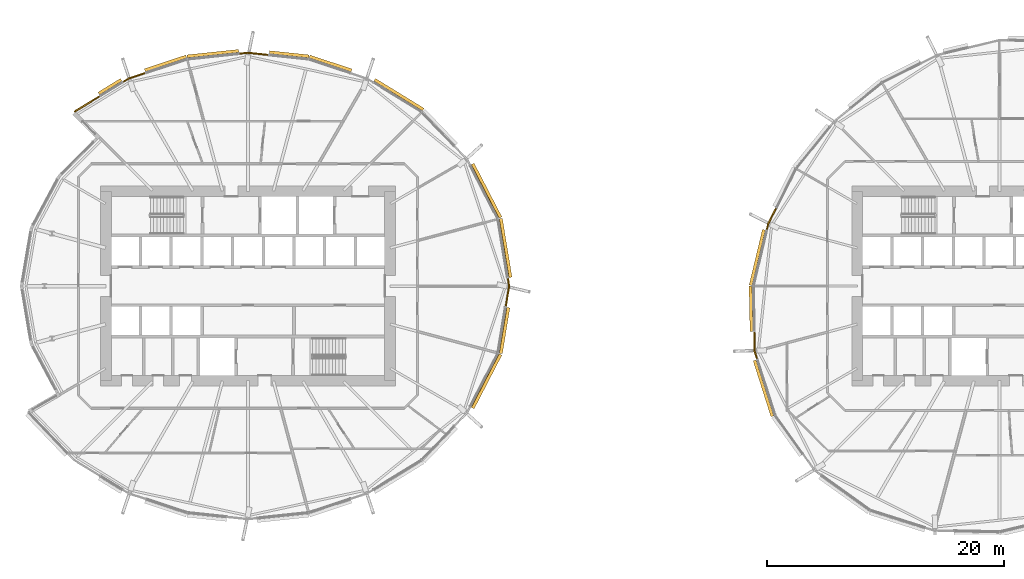
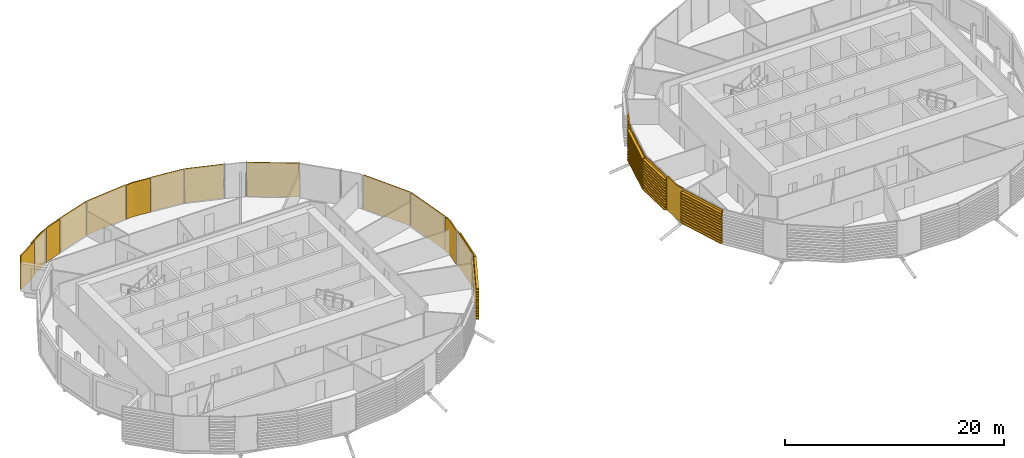
# One storey, part 33 of 36: 19 coverings.
"""IFC4 building model written with IfcOpenShell, lengths in metres."""

import ifcopenshell
import ifcopenshell.guid

model = None  # the IFC model being written
_history = None  # IfcOwnerHistory: only IFC2X3 demands one
_inside = {}  # id of a spatial element -> (the spatial element, [elements in it])
_under = {}  # id of a project, library or spatial element -> (it, [spatial elements below it])
_declared = {}  # id of a project -> (the project, [libraries it declares])
_typed = {}  # id of a type object -> (the type object, [elements of that type])
_made_of = {}  # id of a material, layer set ... -> (it, [elements and type objects made of it])


def new_model(schema):
    """Start an empty IFC model of exactly this schema.

    Asked for "IFC4X3", IfcOpenShell would pick the latest addendum, in which some entities
    have other attributes; the version numbers below select the first issue.
    IFC2X3 requires an IfcOwnerHistory on every rooted entity: one is made here for all.
    """
    global model, _history
    if schema == "IFC4X3":
        model = ifcopenshell.file(schema_version=(4, 3, 0, 0))
    else:
        model = ifcopenshell.file(schema=schema)
    _inside.clear()
    _under.clear()
    _declared.clear()
    _typed.clear()
    _made_of.clear()
    _history = None
    if model.schema == "IFC2X3":
        org = make("IfcOrganization", Name="unknown")
        user = make(
            "IfcPersonAndOrganization",
            ThePerson=make("IfcPerson", FamilyName="unknown"),
            TheOrganization=org,
        )
        app = make(
            "IfcApplication",
            ApplicationDeveloper=org,
            Version="unknown",
            ApplicationFullName="unknown",
            ApplicationIdentifier="unknown",
        )
        _history = make(
            "IfcOwnerHistory",
            OwningUser=user,
            OwningApplication=app,
            ChangeAction="ADDED",
            CreationDate=0,
        )
    return model


def make(cls, **values):
    """One entity of the class cls with the attributes given. An attribute that is None is left unset."""
    return model.create_entity(
        cls, **{name: value for name, value in values.items() if value is not None}
    )


def rooted(cls, **values):
    """An entity with a GlobalId (a new one), such as an element, a storey or a relation."""
    return make(cls, GlobalId=ifcopenshell.guid.new(), OwnerHistory=_history, **values)


def si_unit(unit_type, name, prefix=None):
    """IfcSIUnit, for example si_unit("LENGTHUNIT", "METRE", prefix="MILLI")."""
    return make("IfcSIUnit", UnitType=unit_type, Prefix=prefix, Name=name)


def assignment(units):
    """IfcUnitAssignment: the units of a project."""
    return None if units is None else make("IfcUnitAssignment", Units=units)


def point(xyz):
    """IfcCartesianPoint."""
    return None if xyz is None else make("IfcCartesianPoint", Coordinates=xyz)


def direction(xyz):
    """IfcDirection."""
    return None if xyz is None else make("IfcDirection", DirectionRatios=xyz)


def frame(location, z_axis=None, x_axis=None):
    """IfcAxis2Placement3D, a coordinate frame: its origin and axes. An axis left out is left unset."""
    return make(
        "IfcAxis2Placement3D",
        Location=point(location),
        Axis=direction(z_axis),
        RefDirection=direction(x_axis),
    )


def origin():
    """The frame at (0, 0, 0) with its axes left unset."""
    return frame((0.0, 0.0, 0.0))


def place(relative_to, where):
    """IfcLocalPlacement: puts the frame where relative to a parent placement (None: the world)."""
    return make(
        "IfcLocalPlacement", PlacementRelTo=relative_to, RelativePlacement=where
    )


def context(
    kind, dimensions, precision=None, world=None, true_north=None, identifier=None
):
    """IfcGeometricRepresentationContext, for example the 3D "Model" context."""
    return make(
        "IfcGeometricRepresentationContext",
        ContextIdentifier=identifier,
        ContextType=kind,
        CoordinateSpaceDimension=dimensions,
        Precision=precision,
        WorldCoordinateSystem=world,
        TrueNorth=true_north,
    )


def subcontext(parent, identifier, kind, view, scale=None):
    """IfcGeometricRepresentationSubContext, for example "Body" below "Model"."""
    return make(
        "IfcGeometricRepresentationSubContext",
        ContextIdentifier=identifier,
        ContextType=kind,
        ParentContext=parent,
        TargetScale=scale,
        TargetView=view,
    )


def project(units=None, contexts=None):
    """IfcProject with its units and contexts."""
    return rooted(
        "IfcProject",
        Name="project",
        RepresentationContexts=contexts,
        UnitsInContext=assignment(units),
    )


def spatial(cls, under=None, at=None, **own):
    """A site, building, storey or space (cls), placed at a placement, below another one or the project."""
    s = rooted(cls, ObjectPlacement=at, **own)
    if under is not None:
        _under.setdefault(under.id(), (under, []))[1].append(s)
    return s


def polyline(points):
    """IfcPolyline through the points."""
    return make("IfcPolyline", Points=[point(p) for p in points])


def outline(outer, holes=None, kind="AREA"):
    """IfcArbitraryClosedProfileDef: a profile drawn as a closed curve; with holes, ...WithVoids."""
    if holes is None:
        return make("IfcArbitraryClosedProfileDef", ProfileType=kind, OuterCurve=outer)
    return make(
        "IfcArbitraryProfileDefWithVoids",
        ProfileType=kind,
        OuterCurve=outer,
        InnerCurves=holes,
    )


def extrude(swept, where, along, depth):
    """IfcExtrudedAreaSolid: the profile swept, set in the frame where, extruded along a direction by depth."""
    return make(
        "IfcExtrudedAreaSolid",
        SweptArea=swept,
        Position=where,
        ExtrudedDirection=direction(along),
        Depth=depth,
    )


def shape(context_of_items, identifier, shape_type, items):
    """IfcShapeRepresentation: the items that make up one representation, for example the "Body"."""
    return make(
        "IfcShapeRepresentation",
        ContextOfItems=context_of_items,
        RepresentationIdentifier=identifier,
        RepresentationType=shape_type,
        Items=items,
    )


def material(Name=None, Category=None):
    """IfcMaterial."""
    return make("IfcMaterial", Name=Name, Category=Category)


def layer(
    of_material, thickness, ventilated=None, Name=None, Category=None, Priority=None
):
    """IfcMaterialLayer: one layer of a wall or slab, of a material (None: an air gap)."""
    return make(
        "IfcMaterialLayer",
        Material=of_material,
        LayerThickness=thickness,
        IsVentilated=ventilated,
        Name=Name,
        Category=Category,
        Priority=Priority,
    )


def layer_set(layers, Name=None):
    """IfcMaterialLayerSet."""
    return make("IfcMaterialLayerSet", MaterialLayers=layers, LayerSetName=Name)


def material_profile(
    of_material, cross_section, Name=None, Category=None, Priority=None
):
    """IfcMaterialProfile: a cross section and its material."""
    return make(
        "IfcMaterialProfile",
        Name=Name,
        Material=of_material,
        Profile=cross_section,
        Priority=Priority,
        Category=Category,
    )


def profile_set(profiles, Name=None, composite=None):
    """IfcMaterialProfileSet."""
    return make(
        "IfcMaterialProfileSet",
        Name=Name,
        MaterialProfiles=profiles,
        CompositeProfile=composite,
    )


def made_of(thing, what):
    """Note that an element or type object is made of a material, layer set ...; save() writes the relation."""
    if what is not None:
        _made_of.setdefault(what.id(), (what, []))[1].append(thing)
    return thing


def type_object(cls, material=None, **own):
    """A type object (cls), such as IfcWallType, which elements share."""
    return made_of(rooted(cls, **own), material)


def element(
    cls,
    number,
    at=None,
    inside=None,
    cuts=None,
    type_object=None,
    material=None,
    context=None,
    identifier="Body",
    shape_type=None,
    held_by="IfcProductDefinitionShape",
    body=None,
    shapes=None,
    **own,
):
    """One element of the class cls, such as IfcWall. Its Tag is "e" and its number.

    at: its placement. inside: the storey or other place that contains it. cuts: it is an
    opening in that element (IfcRelVoidsElement). A single representation is given by context,
    identifier, shape_type and body (its items); several are given by shapes. held_by: the class
    of the entity that holds the representations. save() writes the other relations.
    """
    e = rooted(cls, Tag="e%d" % number, ObjectPlacement=at, **own)
    if body is not None:
        shapes = [shape(context, identifier, shape_type, body)]
    if shapes is not None:
        e.Representation = make(held_by, Representations=shapes)
    if inside is not None:
        _inside.setdefault(inside.id(), (inside, []))[1].append(e)
    if cuts is not None:
        rooted(
            "IfcRelVoidsElement", RelatingBuildingElement=cuts, RelatedOpeningElement=e
        )
    if type_object is not None:
        _typed.setdefault(type_object.id(), (type_object, []))[1].append(e)
    return made_of(e, material)


def aggregate(whole, parts):
    """IfcRelAggregates: a whole, such as a stair, and the parts it consists of."""
    return rooted("IfcRelAggregates", RelatingObject=whole, RelatedObjects=parts)


def save(model, path):
    """Write the relations noted so far, then the file.

    IfcRelAggregates (storeys below a building ...), IfcRelContainedInSpatialStructure (elements
    in a storey), IfcRelDefinesByType, IfcRelAssociatesMaterial and IfcRelDeclares: one each for
    every whole, place, type object, material and project.
    """
    for whole, parts in _under.values():
        aggregate(whole, parts)
    for where, things in _inside.values():
        rooted(
            "IfcRelContainedInSpatialStructure",
            RelatedElements=things,
            RelatingStructure=where,
        )
    for kind, things in _typed.values():
        rooted("IfcRelDefinesByType", RelatedObjects=things, RelatingType=kind)
    for what, things in _made_of.values():
        rooted("IfcRelAssociatesMaterial", RelatedObjects=things, RelatingMaterial=what)
    for by, libraries in _declared.values():
        rooted("IfcRelDeclares", RelatingContext=by, RelatedDefinitions=libraries)
    model.write(path)


model = new_model("IFC4")

# Units and contexts
model_context = context("Model", 3, precision=1e-05, world=origin(), true_north=direction((0.0, 1.0)))
body_context = subcontext(model_context, "Body", "Model", "MODEL_VIEW")
ifc_project = project(units=[si_unit("LENGTHUNIT", "METRE"), si_unit("AREAUNIT", "SQUARE_METRE"), si_unit("VOLUMEUNIT", "CUBIC_METRE"), si_unit("PLANEANGLEUNIT", "RADIAN"), si_unit("MASSUNIT", "GRAM", prefix="KILO")], contexts=[model_context])

# Site, building, storey
site_placement = place(None, origin())
site = spatial("IfcSite", under=ifc_project, at=site_placement, CompositionType="ELEMENT")
building_placement = place(site_placement, origin())
building = spatial("IfcBuilding", under=site, at=building_placement, Name="Rimbun Link Towers", CompositionType="ELEMENT")
storey_placement = place(building_placement, frame((0.0, 0.0, 33.800048828125)))
storey = spatial("IfcBuildingStorey", under=building, at=storey_placement, Name="L07", CompositionType="ELEMENT", Elevation=33.800048828125)

# Coverings
ifc_material_1 = material(Name="Terracotta", Category="masonry")
ifc_layer = layer(ifc_material_1, 0.1201171875)
ifc_layer_set = layer_set([ifc_layer], Name="LINK PIER terracotta cladding 120")
covering_type_1 = type_object("IfcCoveringType", Name="LINK PIER terracotta cladding 120", PredefinedType="CLADDING", material=ifc_layer_set)
covering_1_placement = place(storey_placement, origin())
element("IfcCovering", 1, at=covering_1_placement, inside=storey, type_object=covering_type_1, Name="LINK PIER cladding", PredefinedType="CLADDING", context=body_context, shape_type="SweptSolid", body=[
    extrude(outline(polyline([(-9.845947265625, 0.6611328125), (-9.7373046875, 0.0), (-10.0244140625, -1.74658203125), (-9.906005859375, -1.76611328125), (-9.61572265625, 0.0), (-9.7275390625, 0.6806640625), (-9.845947265625, 0.6611328125)])), origin(), (0.0, 0.0, 1.0), 3.800048828125),
])
covering_2_placement = place(storey_placement, origin())
element("IfcCovering", 2, at=covering_2_placement, inside=storey, type_object=covering_type_1, Name="LINK PIER cladding", PredefinedType="CLADDING", context=body_context, shape_type="SweptSolid", body=[
    extrude(outline(polyline([(-32.466064453125, 19.578857421875), (-31.75, 19.654296875), (-29.98974609375, 19.46875), (-29.97705078125, 19.588134765625), (-31.75, 19.77490234375), (-32.478515625, 19.697998046875), (-32.466064453125, 19.578857421875)])), origin(), (0.0, 0.0, 1.0), 3.800048828125),
])
covering_3_placement = place(storey_placement, origin())
element("IfcCovering", 3, at=covering_3_placement, inside=storey, type_object=covering_type_1, Name="LINK PIER cladding", PredefinedType="CLADDING", context=body_context, shape_type="SweptSolid", body=[
    extrude(outline(polyline([(-46.38525390625, 14.676513671875), (-44.220703125, 16.005615234375), (-44.283447265625, 16.107666015625), (-46.447998046875, 14.77880859375), (-46.38525390625, 14.676513671875)])), origin(), (0.0, 0.0, 1.0), 3.800048828125),
])
covering_4_placement = place(storey_placement, origin())
element("IfcCovering", 4, at=covering_4_placement, inside=storey, type_object=covering_type_1, Name="LINK PIER cladding", PredefinedType="CLADDING", context=body_context, shape_type="SweptSolid", body=[
    extrude(outline(polyline([(-42.279296875, 17.197509765625), (-41.836181640625, 17.469482421875), (-40.393310546875, 17.94775390625), (-40.430908203125, 18.0615234375), (-41.886962890625, 17.5791015625), (-42.342041015625, 17.2998046875), (-42.279296875, 17.197509765625)])), origin(), (0.0, 0.0, 1.0), 3.800048828125),
])
covering_5_placement = place(storey_placement, origin())
element("IfcCovering", 5, at=covering_5_placement, inside=storey, type_object=covering_type_1, Name="LINK PIER cladding", PredefinedType="CLADDING", context=body_context, shape_type="SweptSolid", body=[
    extrude(outline(polyline([(12.144287109375, 4.715087890625), (12.26513671875, 5.220947265625), (12.947265625, 6.579345703125), (12.840087890625, 6.633056640625), (12.151611328125, 5.262451171875), (12.027587890625, 4.7431640625), (12.144287109375, 4.715087890625)])), origin(), (0.0, 0.0, 1.0), 3.800048828125),
])
covering_6_placement = place(storey_placement, origin())
element("IfcCovering", 6, at=covering_6_placement, inside=storey, type_object=covering_type_1, Name="LINK PIER cladding", PredefinedType="CLADDING", context=body_context, shape_type="SweptSolid", body=[
    extrude(outline(polyline([(11.3359375, -6.162841796875), (11.1328125, -5.5244140625), (11.09765625, -3.854736328125), (10.977783203125, -3.857177734375), (11.01318359375, -5.544189453125), (11.2216796875, -6.19921875), (11.3359375, -6.162841796875)])), origin(), (0.0, 0.0, 1.0), 3.800048828125),
])
ifc_material_2 = material(Name="Terracotta", Category="masonry")
ifc_material_profile = material_profile(ifc_material_2, outline(polyline([(0.123046875, 0.0), (0.1630859375, 0.0), (0.1630859375, 0.10009765625), (0.423095703125, 0.10009765625), (0.423095703125, 0.219970703125), (0.1630859375, 0.219970703125), (0.1630859375, 0.39990234375), (0.423095703125, 0.39990234375), (0.423095703125, 0.52001953125), (0.1630859375, 0.52001953125), (0.1630859375, 0.699951171875), (0.423095703125, 0.699951171875), (0.423095703125, 0.820068359375), (0.1630859375, 0.820068359375), (0.1630859375, 1.0), (0.423095703125, 1.0), (0.423095703125, 1.1201171875), (0.1630859375, 1.1201171875), (0.1630859375, 1.300048828125), (0.423095703125, 1.300048828125), (0.423095703125, 1.419921875), (0.1630859375, 1.419921875), (0.1630859375, 1.60009765625), (0.423095703125, 1.60009765625), (0.423095703125, 1.719970703125), (0.1630859375, 1.719970703125), (0.1630859375, 1.89990234375), (0.423095703125, 1.89990234375), (0.423095703125, 2.02001953125), (0.1630859375, 2.02001953125), (0.1630859375, 2.199951171875), (0.423095703125, 2.199951171875), (0.423095703125, 2.320068359375), (0.1630859375, 2.320068359375), (0.1630859375, 2.5), (0.423095703125, 2.5), (0.423095703125, 2.6201171875), (0.1630859375, 2.6201171875), (0.1630859375, 2.800048828125), (0.423095703125, 2.800048828125), (0.423095703125, 2.919921875), (0.1630859375, 2.919921875), (0.1630859375, 3.10009765625), (0.423095703125, 3.10009765625), (0.423095703125, 3.219970703125), (0.1630859375, 3.219970703125), (0.1630859375, 3.39990234375), (0.423095703125, 3.39990234375), (0.423095703125, 3.52001953125), (0.1630859375, 3.52001953125), (0.1630859375, 3.800048828125), (0.123046875, 3.800048828125), (0.123046875, 0.0)])), Name="BAGUETTE 120X300")
ifc_profile_set = profile_set([ifc_material_profile], Name="Terracotta")
covering_type_2 = type_object("IfcCoveringType", Name="TERRACOTTA BAGUETTE 120X300 H3800", PredefinedType="CLADDING", material=ifc_profile_set)
covering_7_placement = place(storey_placement, frame((-10.666259765625, 5.6494140625, 0.0), z_axis=(0.162263623648, -0.986747443088, 0.0), x_axis=(0.986747443088, 0.162263623648, 0.0)))
element("IfcCovering", 7, at=covering_7_placement, inside=storey, type_object=covering_type_2, Name="TERRACOTTA BAGUETTE", PredefinedType="CLADDING", context=body_context, shape_type="SweptSolid", body=[
    extrude(outline(polyline([(0.123046875, 0.0), (0.1630859375, 0.0), (0.1630859375, 0.10009765625), (0.423095703125, 0.10009765625), (0.423095703125, 0.219970703125), (0.1630859375, 0.219970703125), (0.1630859375, 0.39990234375), (0.423095703125, 0.39990234375), (0.423095703125, 0.52001953125), (0.1630859375, 0.52001953125), (0.1630859375, 0.699951171875), (0.423095703125, 0.699951171875), (0.423095703125, 0.820068359375), (0.1630859375, 0.820068359375), (0.1630859375, 1.0), (0.423095703125, 1.0), (0.423095703125, 1.1201171875), (0.1630859375, 1.1201171875), (0.1630859375, 1.300048828125), (0.423095703125, 1.300048828125), (0.423095703125, 1.419921875), (0.1630859375, 1.419921875), (0.1630859375, 1.60009765625), (0.423095703125, 1.60009765625), (0.423095703125, 1.719970703125), (0.1630859375, 1.719970703125), (0.1630859375, 1.89990234375), (0.423095703125, 1.89990234375), (0.423095703125, 2.02001953125), (0.1630859375, 2.02001953125), (0.1630859375, 2.199951171875), (0.423095703125, 2.199951171875), (0.423095703125, 2.320068359375), (0.1630859375, 2.320068359375), (0.1630859375, 2.5), (0.423095703125, 2.5), (0.423095703125, 2.6201171875), (0.1630859375, 2.6201171875), (0.1630859375, 2.800048828125), (0.423095703125, 2.800048828125), (0.423095703125, 2.919921875), (0.1630859375, 2.919921875), (0.1630859375, 3.10009765625), (0.423095703125, 3.10009765625), (0.423095703125, 3.219970703125), (0.1630859375, 3.219970703125), (0.1630859375, 3.39990234375), (0.423095703125, 3.39990234375), (0.423095703125, 3.52001953125), (0.1630859375, 3.52001953125), (0.1630859375, 3.800048828125), (0.123046875, 3.800048828125), (0.123046875, 0.0)])), origin(), (0.0, 0.0, 1.0), 5.025390625),
])
covering_8_placement = place(storey_placement, frame((-13.012451171875, 10.183837890625, 0.0), z_axis=(0.459546500768, -0.888153710589, 0.0), x_axis=(0.888153710589, 0.459546500768, 0.0)))
element("IfcCovering", 8, at=covering_8_placement, inside=storey, type_object=covering_type_2, Name="TERRACOTTA BAGUETTE", PredefinedType="CLADDING", context=body_context, shape_type="SweptSolid", body=[
    extrude(outline(polyline([(0.123046875, 0.0), (0.1630859375, 0.0), (0.1630859375, 0.10009765625), (0.423095703125, 0.10009765625), (0.423095703125, 0.219970703125), (0.1630859375, 0.219970703125), (0.1630859375, 0.39990234375), (0.423095703125, 0.39990234375), (0.423095703125, 0.52001953125), (0.1630859375, 0.52001953125), (0.1630859375, 0.699951171875), (0.423095703125, 0.699951171875), (0.423095703125, 0.820068359375), (0.1630859375, 0.820068359375), (0.1630859375, 1.0), (0.423095703125, 1.0), (0.423095703125, 1.1201171875), (0.1630859375, 1.1201171875), (0.1630859375, 1.300048828125), (0.423095703125, 1.300048828125), (0.423095703125, 1.419921875), (0.1630859375, 1.419921875), (0.1630859375, 1.60009765625), (0.423095703125, 1.60009765625), (0.423095703125, 1.719970703125), (0.1630859375, 1.719970703125), (0.1630859375, 1.89990234375), (0.423095703125, 1.89990234375), (0.423095703125, 2.02001953125), (0.1630859375, 2.02001953125), (0.1630859375, 2.199951171875), (0.423095703125, 2.199951171875), (0.423095703125, 2.320068359375), (0.1630859375, 2.320068359375), (0.1630859375, 2.5), (0.423095703125, 2.5), (0.423095703125, 2.6201171875), (0.1630859375, 2.6201171875), (0.1630859375, 2.800048828125), (0.423095703125, 2.800048828125), (0.423095703125, 2.919921875), (0.1630859375, 2.919921875), (0.1630859375, 3.10009765625), (0.423095703125, 3.10009765625), (0.423095703125, 3.219970703125), (0.1630859375, 3.219970703125), (0.1630859375, 3.39990234375), (0.423095703125, 3.39990234375), (0.423095703125, 3.52001953125), (0.1630859375, 3.52001953125), (0.1630859375, 3.800048828125), (0.123046875, 3.800048828125), (0.123046875, 0.0)])), origin(), (0.0, 0.0, 1.0), 5.10546875),
])
covering_9_placement = place(storey_placement, frame((-21.1953125, 17.181884765625, 0.0), z_axis=(0.852204123862, -0.523209452583, 0.0), x_axis=(0.523209452583, 0.852204123862, 0.0)))
element("IfcCovering", 9, at=covering_9_placement, inside=storey, type_object=covering_type_2, Name="TERRACOTTA BAGUETTE", PredefinedType="CLADDING", context=body_context, shape_type="SweptSolid", body=[
    extrude(outline(polyline([(0.123046875, 0.0), (0.1630859375, 0.0), (0.1630859375, 0.10009765625), (0.423095703125, 0.10009765625), (0.423095703125, 0.219970703125), (0.1630859375, 0.219970703125), (0.1630859375, 0.39990234375), (0.423095703125, 0.39990234375), (0.423095703125, 0.52001953125), (0.1630859375, 0.52001953125), (0.1630859375, 0.699951171875), (0.423095703125, 0.699951171875), (0.423095703125, 0.820068359375), (0.1630859375, 0.820068359375), (0.1630859375, 1.0), (0.423095703125, 1.0), (0.423095703125, 1.1201171875), (0.1630859375, 1.1201171875), (0.1630859375, 1.300048828125), (0.423095703125, 1.300048828125), (0.423095703125, 1.419921875), (0.1630859375, 1.419921875), (0.1630859375, 1.60009765625), (0.423095703125, 1.60009765625), (0.423095703125, 1.719970703125), (0.1630859375, 1.719970703125), (0.1630859375, 1.89990234375), (0.423095703125, 1.89990234375), (0.423095703125, 2.02001953125), (0.1630859375, 2.02001953125), (0.1630859375, 2.199951171875), (0.423095703125, 2.199951171875), (0.423095703125, 2.320068359375), (0.1630859375, 2.320068359375), (0.1630859375, 2.5), (0.423095703125, 2.5), (0.423095703125, 2.6201171875), (0.1630859375, 2.6201171875), (0.1630859375, 2.800048828125), (0.423095703125, 2.800048828125), (0.423095703125, 2.919921875), (0.1630859375, 2.919921875), (0.1630859375, 3.10009765625), (0.423095703125, 3.10009765625), (0.423095703125, 3.219970703125), (0.1630859375, 3.219970703125), (0.1630859375, 3.39990234375), (0.423095703125, 3.39990234375), (0.423095703125, 3.52001953125), (0.1630859375, 3.52001953125), (0.1630859375, 3.800048828125), (0.123046875, 3.800048828125), (0.123046875, 0.0)])), origin(), (0.0, 0.0, 1.0), 4.818359375),
])
covering_10_placement = place(storey_placement, frame((-26.628173828125, 19.11474609375, 0.0), z_axis=(0.949231687983, -0.314577816332, 0.0), x_axis=(0.314577816332, 0.949231687983, 0.0)))
element("IfcCovering", 10, at=covering_10_placement, inside=storey, type_object=covering_type_2, Name="TERRACOTTA BAGUETTE", PredefinedType="CLADDING", context=body_context, shape_type="SweptSolid", body=[
    extrude(outline(polyline([(0.123046875, 0.0), (0.1630859375, 0.0), (0.1630859375, 0.10009765625), (0.423095703125, 0.10009765625), (0.423095703125, 0.219970703125), (0.1630859375, 0.219970703125), (0.1630859375, 0.39990234375), (0.423095703125, 0.39990234375), (0.423095703125, 0.52001953125), (0.1630859375, 0.52001953125), (0.1630859375, 0.699951171875), (0.423095703125, 0.699951171875), (0.423095703125, 0.820068359375), (0.1630859375, 0.820068359375), (0.1630859375, 1.0), (0.423095703125, 1.0), (0.423095703125, 1.1201171875), (0.1630859375, 1.1201171875), (0.1630859375, 1.300048828125), (0.423095703125, 1.300048828125), (0.423095703125, 1.419921875), (0.1630859375, 1.419921875), (0.1630859375, 1.60009765625), (0.423095703125, 1.60009765625), (0.423095703125, 1.719970703125), (0.1630859375, 1.719970703125), (0.1630859375, 1.89990234375), (0.423095703125, 1.89990234375), (0.423095703125, 2.02001953125), (0.1630859375, 2.02001953125), (0.1630859375, 2.199951171875), (0.423095703125, 2.199951171875), (0.423095703125, 2.320068359375), (0.1630859375, 2.320068359375), (0.1630859375, 2.5), (0.423095703125, 2.5), (0.423095703125, 2.6201171875), (0.1630859375, 2.6201171875), (0.1630859375, 2.800048828125), (0.423095703125, 2.800048828125), (0.423095703125, 2.919921875), (0.1630859375, 2.919921875), (0.1630859375, 3.10009765625), (0.423095703125, 3.10009765625), (0.423095703125, 3.219970703125), (0.1630859375, 3.219970703125), (0.1630859375, 3.39990234375), (0.423095703125, 3.39990234375), (0.423095703125, 3.52001953125), (0.1630859375, 3.52001953125), (0.1630859375, 3.800048828125), (0.123046875, 3.800048828125), (0.123046875, 0.0)])), origin(), (0.0, 0.0, 1.0), 3.72998046875),
])
covering_11_placement = place(storey_placement, frame((-29.9599609375, 19.465576171875, 0.0), z_axis=(0.994501858584, -0.104718925096, 0.0), x_axis=(0.104718925096, 0.994501858584, 0.0)))
element("IfcCovering", 11, at=covering_11_placement, inside=storey, type_object=covering_type_2, Name="TERRACOTTA BAGUETTE", PredefinedType="CLADDING", context=body_context, shape_type="SweptSolid", body=[
    extrude(outline(polyline([(0.123046875, 0.0), (0.1630859375, 0.0), (0.1630859375, 0.10009765625), (0.423095703125, 0.10009765625), (0.423095703125, 0.219970703125), (0.1630859375, 0.219970703125), (0.1630859375, 0.39990234375), (0.423095703125, 0.39990234375), (0.423095703125, 0.52001953125), (0.1630859375, 0.52001953125), (0.1630859375, 0.699951171875), (0.423095703125, 0.699951171875), (0.423095703125, 0.820068359375), (0.1630859375, 0.820068359375), (0.1630859375, 1.0), (0.423095703125, 1.0), (0.423095703125, 1.1201171875), (0.1630859375, 1.1201171875), (0.1630859375, 1.300048828125), (0.423095703125, 1.300048828125), (0.423095703125, 1.419921875), (0.1630859375, 1.419921875), (0.1630859375, 1.60009765625), (0.423095703125, 1.60009765625), (0.423095703125, 1.719970703125), (0.1630859375, 1.719970703125), (0.1630859375, 1.89990234375), (0.423095703125, 1.89990234375), (0.423095703125, 2.02001953125), (0.1630859375, 2.02001953125), (0.1630859375, 2.199951171875), (0.423095703125, 2.199951171875), (0.423095703125, 2.320068359375), (0.1630859375, 2.320068359375), (0.1630859375, 2.5), (0.423095703125, 2.5), (0.423095703125, 2.6201171875), (0.1630859375, 2.6201171875), (0.1630859375, 2.800048828125), (0.423095703125, 2.800048828125), (0.423095703125, 2.919921875), (0.1630859375, 2.919921875), (0.1630859375, 3.10009765625), (0.423095703125, 3.10009765625), (0.423095703125, 3.219970703125), (0.1630859375, 3.219970703125), (0.1630859375, 3.39990234375), (0.423095703125, 3.39990234375), (0.423095703125, 3.52001953125), (0.1630859375, 3.52001953125), (0.1630859375, 3.800048828125), (0.123046875, 3.800048828125), (0.123046875, 0.0)])), origin(), (0.0, 0.0, 1.0), 3.35009765625),
])
covering_12_placement = place(storey_placement, frame((-36.871826171875, 19.11474609375, 0.0), z_axis=(0.994498153958, 0.104754101466, 0.0), x_axis=(-0.104754101466, 0.994498153958, 0.0)))
element("IfcCovering", 12, at=covering_12_placement, inside=storey, type_object=covering_type_2, Name="TERRACOTTA BAGUETTE", PredefinedType="CLADDING", context=body_context, shape_type="SweptSolid", body=[
    extrude(outline(polyline([(0.123046875, 0.0), (0.1630859375, 0.0), (0.1630859375, 0.10009765625), (0.423095703125, 0.10009765625), (0.423095703125, 0.219970703125), (0.1630859375, 0.219970703125), (0.1630859375, 0.39990234375), (0.423095703125, 0.39990234375), (0.423095703125, 0.52001953125), (0.1630859375, 0.52001953125), (0.1630859375, 0.699951171875), (0.423095703125, 0.699951171875), (0.423095703125, 0.820068359375), (0.1630859375, 0.820068359375), (0.1630859375, 1.0), (0.423095703125, 1.0), (0.423095703125, 1.1201171875), (0.1630859375, 1.1201171875), (0.1630859375, 1.300048828125), (0.423095703125, 1.300048828125), (0.423095703125, 1.419921875), (0.1630859375, 1.419921875), (0.1630859375, 1.60009765625), (0.423095703125, 1.60009765625), (0.423095703125, 1.719970703125), (0.1630859375, 1.719970703125), (0.1630859375, 1.89990234375), (0.423095703125, 1.89990234375), (0.423095703125, 2.02001953125), (0.1630859375, 2.02001953125), (0.1630859375, 2.199951171875), (0.423095703125, 2.199951171875), (0.423095703125, 2.320068359375), (0.1630859375, 2.320068359375), (0.1630859375, 2.5), (0.423095703125, 2.5), (0.423095703125, 2.6201171875), (0.1630859375, 2.6201171875), (0.1630859375, 2.800048828125), (0.423095703125, 2.800048828125), (0.423095703125, 2.919921875), (0.1630859375, 2.919921875), (0.1630859375, 3.10009765625), (0.423095703125, 3.10009765625), (0.423095703125, 3.219970703125), (0.1630859375, 3.219970703125), (0.1630859375, 3.39990234375), (0.423095703125, 3.39990234375), (0.423095703125, 3.52001953125), (0.1630859375, 3.52001953125), (0.1630859375, 3.800048828125), (0.123046875, 3.800048828125), (0.123046875, 0.0)])), origin(), (0.0, 0.0, 1.0), 4.400146484375),
])
covering_13_placement = place(storey_placement, frame((-40.36474609375, 17.957275390625, 0.0), z_axis=(0.949239146914, 0.314555308277, 0.0), x_axis=(-0.314555308277, 0.949239146914, 0.0)))
element("IfcCovering", 13, at=covering_13_placement, inside=storey, type_object=covering_type_2, Name="TERRACOTTA BAGUETTE", PredefinedType="CLADDING", context=body_context, shape_type="SweptSolid", body=[
    extrude(outline(polyline([(0.123046875, 0.0), (0.1630859375, 0.0), (0.1630859375, 0.10009765625), (0.423095703125, 0.10009765625), (0.423095703125, 0.219970703125), (0.1630859375, 0.219970703125), (0.1630859375, 0.39990234375), (0.423095703125, 0.39990234375), (0.423095703125, 0.52001953125), (0.1630859375, 0.52001953125), (0.1630859375, 0.699951171875), (0.423095703125, 0.699951171875), (0.423095703125, 0.820068359375), (0.1630859375, 0.820068359375), (0.1630859375, 1.0), (0.423095703125, 1.0), (0.423095703125, 1.1201171875), (0.1630859375, 1.1201171875), (0.1630859375, 1.300048828125), (0.423095703125, 1.300048828125), (0.423095703125, 1.419921875), (0.1630859375, 1.419921875), (0.1630859375, 1.60009765625), (0.423095703125, 1.60009765625), (0.423095703125, 1.719970703125), (0.1630859375, 1.719970703125), (0.1630859375, 1.89990234375), (0.423095703125, 1.89990234375), (0.423095703125, 2.02001953125), (0.1630859375, 2.02001953125), (0.1630859375, 2.199951171875), (0.423095703125, 2.199951171875), (0.423095703125, 2.320068359375), (0.1630859375, 2.320068359375), (0.1630859375, 2.5), (0.423095703125, 2.5), (0.423095703125, 2.6201171875), (0.1630859375, 2.6201171875), (0.1630859375, 2.800048828125), (0.423095703125, 2.800048828125), (0.423095703125, 2.919921875), (0.1630859375, 2.919921875), (0.1630859375, 3.10009765625), (0.423095703125, 3.10009765625), (0.423095703125, 3.219970703125), (0.1630859375, 3.219970703125), (0.1630859375, 3.39990234375), (0.423095703125, 3.39990234375), (0.423095703125, 3.52001953125), (0.1630859375, 3.52001953125), (0.1630859375, 3.800048828125), (0.123046875, 3.800048828125), (0.123046875, 0.0)])), origin(), (0.0, 0.0, 1.0), 3.6796875),
])
covering_14_placement = place(storey_placement, frame((-44.195068359375, 16.021240234375, 0.0), z_axis=(0.852194471791, 0.523225173562, 0.0), x_axis=(-0.523225173562, 0.852194471791, 0.0)))
element("IfcCovering", 14, at=covering_14_placement, inside=storey, type_object=covering_type_2, Name="TERRACOTTA BAGUETTE", PredefinedType="CLADDING", context=body_context, shape_type="SweptSolid", body=[
    extrude(outline(polyline([(0.123046875, 0.0), (0.1630859375, 0.0), (0.1630859375, 0.10009765625), (0.423095703125, 0.10009765625), (0.423095703125, 0.219970703125), (0.1630859375, 0.219970703125), (0.1630859375, 0.39990234375), (0.423095703125, 0.39990234375), (0.423095703125, 0.52001953125), (0.1630859375, 0.52001953125), (0.1630859375, 0.699951171875), (0.423095703125, 0.699951171875), (0.423095703125, 0.820068359375), (0.1630859375, 0.820068359375), (0.1630859375, 1.0), (0.423095703125, 1.0), (0.423095703125, 1.1201171875), (0.1630859375, 1.1201171875), (0.1630859375, 1.300048828125), (0.423095703125, 1.300048828125), (0.423095703125, 1.419921875), (0.1630859375, 1.419921875), (0.1630859375, 1.60009765625), (0.423095703125, 1.60009765625), (0.423095703125, 1.719970703125), (0.1630859375, 1.719970703125), (0.1630859375, 1.89990234375), (0.423095703125, 1.89990234375), (0.423095703125, 2.02001953125), (0.1630859375, 2.02001953125), (0.1630859375, 2.199951171875), (0.423095703125, 2.199951171875), (0.423095703125, 2.320068359375), (0.1630859375, 2.320068359375), (0.1630859375, 2.5), (0.423095703125, 2.5), (0.423095703125, 2.6201171875), (0.1630859375, 2.6201171875), (0.1630859375, 2.800048828125), (0.423095703125, 2.800048828125), (0.423095703125, 2.919921875), (0.1630859375, 2.919921875), (0.1630859375, 3.10009765625), (0.423095703125, 3.10009765625), (0.423095703125, 3.219970703125), (0.1630859375, 3.219970703125), (0.1630859375, 3.39990234375), (0.423095703125, 3.39990234375), (0.423095703125, 3.52001953125), (0.1630859375, 3.52001953125), (0.1630859375, 3.800048828125), (0.123046875, 3.800048828125), (0.123046875, 0.0)])), origin(), (0.0, 0.0, 1.0), 2.21826171875),
])
covering_15_placement = place(storey_placement, frame((-10.666259765625, -5.6494140625, 0.0), z_axis=(-0.459546500768, -0.888153710589, 0.0), x_axis=(0.888153710589, -0.459546500768, 0.0)))
element("IfcCovering", 15, at=covering_15_placement, inside=storey, type_object=covering_type_2, Name="TERRACOTTA BAGUETTE", PredefinedType="CLADDING", context=body_context, shape_type="SweptSolid", body=[
    extrude(outline(polyline([(0.123046875, 0.0), (0.1630859375, 0.0), (0.1630859375, 0.10009765625), (0.423095703125, 0.10009765625), (0.423095703125, 0.219970703125), (0.1630859375, 0.219970703125), (0.1630859375, 0.39990234375), (0.423095703125, 0.39990234375), (0.423095703125, 0.52001953125), (0.1630859375, 0.52001953125), (0.1630859375, 0.699951171875), (0.423095703125, 0.699951171875), (0.423095703125, 0.820068359375), (0.1630859375, 0.820068359375), (0.1630859375, 1.0), (0.423095703125, 1.0), (0.423095703125, 1.1201171875), (0.1630859375, 1.1201171875), (0.1630859375, 1.300048828125), (0.423095703125, 1.300048828125), (0.423095703125, 1.419921875), (0.1630859375, 1.419921875), (0.1630859375, 1.60009765625), (0.423095703125, 1.60009765625), (0.423095703125, 1.719970703125), (0.1630859375, 1.719970703125), (0.1630859375, 1.89990234375), (0.423095703125, 1.89990234375), (0.423095703125, 2.02001953125), (0.1630859375, 2.02001953125), (0.1630859375, 2.199951171875), (0.423095703125, 2.199951171875), (0.423095703125, 2.320068359375), (0.1630859375, 2.320068359375), (0.1630859375, 2.5), (0.423095703125, 2.5), (0.423095703125, 2.6201171875), (0.1630859375, 2.6201171875), (0.1630859375, 2.800048828125), (0.423095703125, 2.800048828125), (0.423095703125, 2.919921875), (0.1630859375, 2.919921875), (0.1630859375, 3.10009765625), (0.423095703125, 3.10009765625), (0.423095703125, 3.219970703125), (0.1630859375, 3.219970703125), (0.1630859375, 3.39990234375), (0.423095703125, 3.39990234375), (0.423095703125, 3.52001953125), (0.1630859375, 3.52001953125), (0.1630859375, 3.800048828125), (0.123046875, 3.800048828125), (0.123046875, 0.0)])), origin(), (0.0, 0.0, 1.0), 5.10546875),
])
covering_16_placement = place(storey_placement, frame((-10.029296875, -1.776123046875, 0.0), z_axis=(-0.162270478291, -0.986746315866, 0.0), x_axis=(0.986746315866, -0.162270478291, 0.0)))
element("IfcCovering", 16, at=covering_16_placement, inside=storey, type_object=covering_type_2, Name="TERRACOTTA BAGUETTE", PredefinedType="CLADDING", context=body_context, shape_type="SweptSolid", body=[
    extrude(outline(polyline([(0.123046875, 0.0), (0.1630859375, 0.0), (0.1630859375, 0.10009765625), (0.423095703125, 0.10009765625), (0.423095703125, 0.219970703125), (0.1630859375, 0.219970703125), (0.1630859375, 0.39990234375), (0.423095703125, 0.39990234375), (0.423095703125, 0.52001953125), (0.1630859375, 0.52001953125), (0.1630859375, 0.699951171875), (0.423095703125, 0.699951171875), (0.423095703125, 0.820068359375), (0.1630859375, 0.820068359375), (0.1630859375, 1.0), (0.423095703125, 1.0), (0.423095703125, 1.1201171875), (0.1630859375, 1.1201171875), (0.1630859375, 1.300048828125), (0.423095703125, 1.300048828125), (0.423095703125, 1.419921875), (0.1630859375, 1.419921875), (0.1630859375, 1.60009765625), (0.423095703125, 1.60009765625), (0.423095703125, 1.719970703125), (0.1630859375, 1.719970703125), (0.1630859375, 1.89990234375), (0.423095703125, 1.89990234375), (0.423095703125, 2.02001953125), (0.1630859375, 2.02001953125), (0.1630859375, 2.199951171875), (0.423095703125, 2.199951171875), (0.423095703125, 2.320068359375), (0.1630859375, 2.320068359375), (0.1630859375, 2.5), (0.423095703125, 2.5), (0.423095703125, 2.6201171875), (0.1630859375, 2.6201171875), (0.1630859375, 2.800048828125), (0.423095703125, 2.800048828125), (0.423095703125, 2.919921875), (0.1630859375, 2.919921875), (0.1630859375, 3.10009765625), (0.423095703125, 3.10009765625), (0.423095703125, 3.219970703125), (0.1630859375, 3.219970703125), (0.1630859375, 3.39990234375), (0.423095703125, 3.39990234375), (0.423095703125, 3.52001953125), (0.1630859375, 3.52001953125), (0.1630859375, 3.800048828125), (0.123046875, 3.800048828125), (0.123046875, 0.0)])), origin(), (0.0, 0.0, 1.0), 3.92529296875),
])
covering_17_placement = place(storey_placement, frame((11.0166015625, 0.0, 0.0), z_axis=(0.232579464969, 0.97257739665, 0.0), x_axis=(-0.97257739665, 0.232579464969, 0.0)))
element("IfcCovering", 17, at=covering_17_placement, inside=storey, type_object=covering_type_2, Name="TERRACOTTA BAGUETTE", PredefinedType="CLADDING", context=body_context, shape_type="SweptSolid", body=[
    extrude(outline(polyline([(0.123046875, 0.0), (0.1630859375, 0.0), (0.1630859375, 0.10009765625), (0.423095703125, 0.10009765625), (0.423095703125, 0.219970703125), (0.1630859375, 0.219970703125), (0.1630859375, 0.39990234375), (0.423095703125, 0.39990234375), (0.423095703125, 0.52001953125), (0.1630859375, 0.52001953125), (0.1630859375, 0.699951171875), (0.423095703125, 0.699951171875), (0.423095703125, 0.820068359375), (0.1630859375, 0.820068359375), (0.1630859375, 1.0), (0.423095703125, 1.0), (0.423095703125, 1.1201171875), (0.1630859375, 1.1201171875), (0.1630859375, 1.300048828125), (0.423095703125, 1.300048828125), (0.423095703125, 1.419921875), (0.1630859375, 1.419921875), (0.1630859375, 1.60009765625), (0.423095703125, 1.60009765625), (0.423095703125, 1.719970703125), (0.1630859375, 1.719970703125), (0.1630859375, 1.89990234375), (0.423095703125, 1.89990234375), (0.423095703125, 2.02001953125), (0.1630859375, 2.02001953125), (0.1630859375, 2.199951171875), (0.423095703125, 2.199951171875), (0.423095703125, 2.320068359375), (0.1630859375, 2.320068359375), (0.1630859375, 2.5), (0.423095703125, 2.5), (0.423095703125, 2.6201171875), (0.1630859375, 2.6201171875), (0.1630859375, 2.800048828125), (0.423095703125, 2.800048828125), (0.423095703125, 2.919921875), (0.1630859375, 2.919921875), (0.1630859375, 3.10009765625), (0.423095703125, 3.10009765625), (0.423095703125, 3.219970703125), (0.1630859375, 3.219970703125), (0.1630859375, 3.39990234375), (0.423095703125, 3.39990234375), (0.423095703125, 3.52001953125), (0.1630859375, 3.52001953125), (0.1630859375, 3.800048828125), (0.123046875, 3.800048828125), (0.123046875, 0.0)])), origin(), (0.0, 0.0, 1.0), 4.818115234375),
])
covering_18_placement = place(storey_placement, frame((11.09716796875, -3.82470703125, 0.0), z_axis=(-0.021060054265, 0.999778212462, 0.0), x_axis=(-0.999778212462, -0.021060054265, 0.0)))
element("IfcCovering", 18, at=covering_18_placement, inside=storey, type_object=covering_type_2, Name="TERRACOTTA BAGUETTE", PredefinedType="CLADDING", context=body_context, shape_type="SweptSolid", body=[
    extrude(outline(polyline([(0.123046875, 0.0), (0.1630859375, 0.0), (0.1630859375, 0.10009765625), (0.423095703125, 0.10009765625), (0.423095703125, 0.219970703125), (0.1630859375, 0.219970703125), (0.1630859375, 0.39990234375), (0.423095703125, 0.39990234375), (0.423095703125, 0.52001953125), (0.1630859375, 0.52001953125), (0.1630859375, 0.699951171875), (0.423095703125, 0.699951171875), (0.423095703125, 0.820068359375), (0.1630859375, 0.820068359375), (0.1630859375, 1.0), (0.423095703125, 1.0), (0.423095703125, 1.1201171875), (0.1630859375, 1.1201171875), (0.1630859375, 1.300048828125), (0.423095703125, 1.300048828125), (0.423095703125, 1.419921875), (0.1630859375, 1.419921875), (0.1630859375, 1.60009765625), (0.423095703125, 1.60009765625), (0.423095703125, 1.719970703125), (0.1630859375, 1.719970703125), (0.1630859375, 1.89990234375), (0.423095703125, 1.89990234375), (0.423095703125, 2.02001953125), (0.1630859375, 2.02001953125), (0.1630859375, 2.199951171875), (0.423095703125, 2.199951171875), (0.423095703125, 2.320068359375), (0.1630859375, 2.320068359375), (0.1630859375, 2.5), (0.423095703125, 2.5), (0.423095703125, 2.6201171875), (0.1630859375, 2.6201171875), (0.1630859375, 2.800048828125), (0.423095703125, 2.800048828125), (0.423095703125, 2.919921875), (0.1630859375, 2.919921875), (0.1630859375, 3.10009765625), (0.423095703125, 3.10009765625), (0.423095703125, 3.219970703125), (0.1630859375, 3.219970703125), (0.1630859375, 3.39990234375), (0.423095703125, 3.39990234375), (0.423095703125, 3.52001953125), (0.1630859375, 3.52001953125), (0.1630859375, 3.800048828125), (0.123046875, 3.800048828125), (0.123046875, 0.0)])), origin(), (0.0, 0.0, 1.0), 3.825439453125),
])
covering_19_placement = place(storey_placement, frame((12.846923828125, -10.913818359375, 0.0), z_axis=(-0.303087744641, 0.952962653543, 0.0), x_axis=(-0.952962653543, -0.303087744641, 0.0)))
element("IfcCovering", 19, at=covering_19_placement, inside=storey, type_object=covering_type_2, Name="TERRACOTTA BAGUETTE", PredefinedType="CLADDING", context=body_context, shape_type="SweptSolid", body=[
    extrude(outline(polyline([(0.123046875, 0.0), (0.1630859375, 0.0), (0.1630859375, 0.10009765625), (0.423095703125, 0.10009765625), (0.423095703125, 0.219970703125), (0.1630859375, 0.219970703125), (0.1630859375, 0.39990234375), (0.423095703125, 0.39990234375), (0.423095703125, 0.52001953125), (0.1630859375, 0.52001953125), (0.1630859375, 0.699951171875), (0.423095703125, 0.699951171875), (0.423095703125, 0.820068359375), (0.1630859375, 0.820068359375), (0.1630859375, 1.0), (0.423095703125, 1.0), (0.423095703125, 1.1201171875), (0.1630859375, 1.1201171875), (0.1630859375, 1.300048828125), (0.423095703125, 1.300048828125), (0.423095703125, 1.419921875), (0.1630859375, 1.419921875), (0.1630859375, 1.60009765625), (0.423095703125, 1.60009765625), (0.423095703125, 1.719970703125), (0.1630859375, 1.719970703125), (0.1630859375, 1.89990234375), (0.423095703125, 1.89990234375), (0.423095703125, 2.02001953125), (0.1630859375, 2.02001953125), (0.1630859375, 2.199951171875), (0.423095703125, 2.199951171875), (0.423095703125, 2.320068359375), (0.1630859375, 2.320068359375), (0.1630859375, 2.5), (0.423095703125, 2.5), (0.423095703125, 2.6201171875), (0.1630859375, 2.6201171875), (0.1630859375, 2.800048828125), (0.423095703125, 2.800048828125), (0.423095703125, 2.919921875), (0.1630859375, 2.919921875), (0.1630859375, 3.10009765625), (0.423095703125, 3.10009765625), (0.423095703125, 3.219970703125), (0.1630859375, 3.219970703125), (0.1630859375, 3.39990234375), (0.423095703125, 3.39990234375), (0.423095703125, 3.52001953125), (0.1630859375, 3.52001953125), (0.1630859375, 3.800048828125), (0.123046875, 3.800048828125), (0.123046875, 0.0)])), origin(), (0.0, 0.0, 1.0), 4.95556640625),
])

save(model, "model.ifc")
